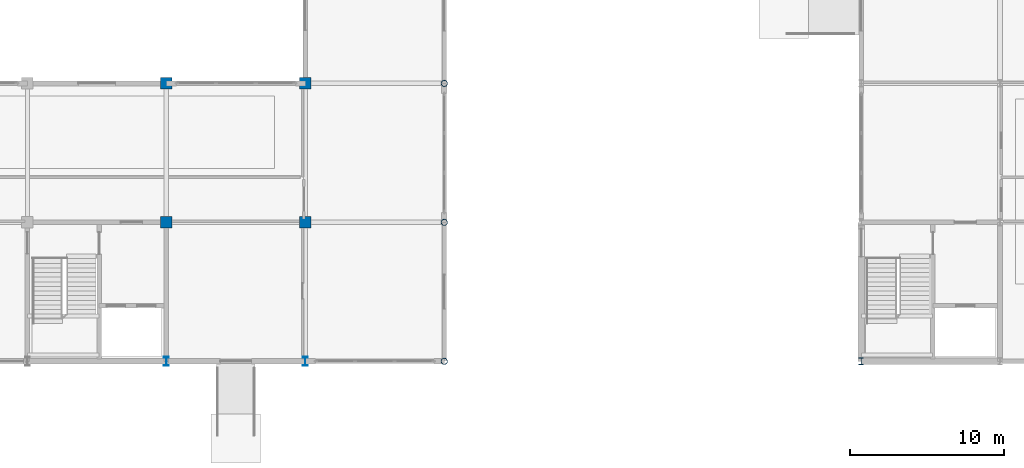
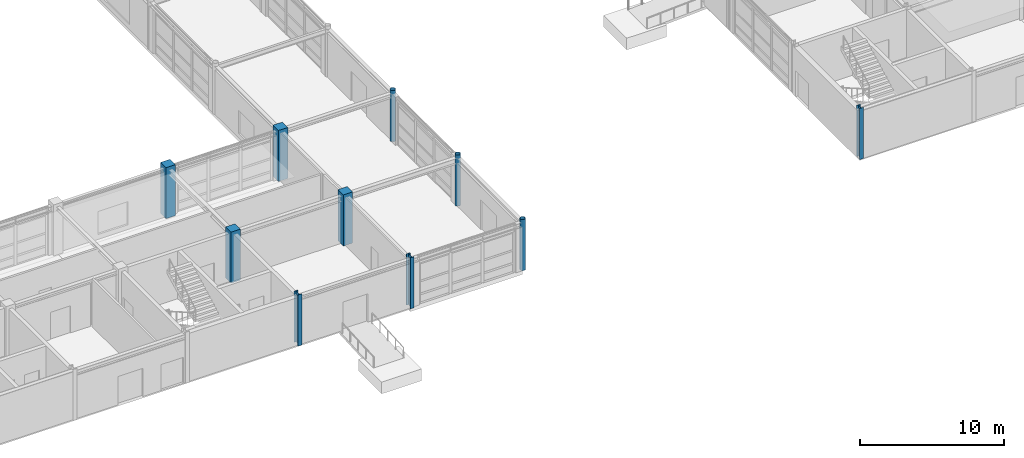
# One storey, part 4 of 72: 10 columns.
"""IFC4 building model written with IfcOpenShell, lengths in metres."""

import ifcopenshell
import ifcopenshell.guid

model = None  # the IFC model being written
_history = None  # IfcOwnerHistory: only IFC2X3 demands one
_inside = {}  # id of a spatial element -> (the spatial element, [elements in it])
_under = {}  # id of a project, library or spatial element -> (it, [spatial elements below it])
_declared = {}  # id of a project -> (the project, [libraries it declares])
_typed = {}  # id of a type object -> (the type object, [elements of that type])
_made_of = {}  # id of a material, layer set ... -> (it, [elements and type objects made of it])


def new_model(schema):
    """Start an empty IFC model of exactly this schema.

    Asked for "IFC4X3", IfcOpenShell would pick the latest addendum, in which some entities
    have other attributes; the version numbers below select the first issue.
    IFC2X3 requires an IfcOwnerHistory on every rooted entity: one is made here for all.
    """
    global model, _history
    if schema == "IFC4X3":
        model = ifcopenshell.file(schema_version=(4, 3, 0, 0))
    else:
        model = ifcopenshell.file(schema=schema)
    _inside.clear()
    _under.clear()
    _declared.clear()
    _typed.clear()
    _made_of.clear()
    _history = None
    if model.schema == "IFC2X3":
        org = make("IfcOrganization", Name="unknown")
        user = make(
            "IfcPersonAndOrganization",
            ThePerson=make("IfcPerson", FamilyName="unknown"),
            TheOrganization=org,
        )
        app = make(
            "IfcApplication",
            ApplicationDeveloper=org,
            Version="unknown",
            ApplicationFullName="unknown",
            ApplicationIdentifier="unknown",
        )
        _history = make(
            "IfcOwnerHistory",
            OwningUser=user,
            OwningApplication=app,
            ChangeAction="ADDED",
            CreationDate=0,
        )
    return model


def make(cls, **values):
    """One entity of the class cls with the attributes given. An attribute that is None is left unset."""
    return model.create_entity(
        cls, **{name: value for name, value in values.items() if value is not None}
    )


def rooted(cls, **values):
    """An entity with a GlobalId (a new one), such as an element, a storey or a relation."""
    return make(cls, GlobalId=ifcopenshell.guid.new(), OwnerHistory=_history, **values)


def si_unit(unit_type, name, prefix=None):
    """IfcSIUnit, for example si_unit("LENGTHUNIT", "METRE", prefix="MILLI")."""
    return make("IfcSIUnit", UnitType=unit_type, Prefix=prefix, Name=name)


def assignment(units):
    """IfcUnitAssignment: the units of a project."""
    return None if units is None else make("IfcUnitAssignment", Units=units)


def point(xyz):
    """IfcCartesianPoint."""
    return None if xyz is None else make("IfcCartesianPoint", Coordinates=xyz)


def direction(xyz):
    """IfcDirection."""
    return None if xyz is None else make("IfcDirection", DirectionRatios=xyz)


def frame(location, z_axis=None, x_axis=None):
    """IfcAxis2Placement3D, a coordinate frame: its origin and axes. An axis left out is left unset."""
    return make(
        "IfcAxis2Placement3D",
        Location=point(location),
        Axis=direction(z_axis),
        RefDirection=direction(x_axis),
    )


def frame_2d(location, x_axis=None):
    """IfcAxis2Placement2D, a coordinate frame in the plane: its origin and x axis."""
    return make(
        "IfcAxis2Placement2D", Location=point(location), RefDirection=direction(x_axis)
    )


def origin():
    """The frame at (0, 0, 0) with its axes left unset."""
    return frame((0.0, 0.0, 0.0))


def origin_2d():
    """The frame at (0, 0) in the plane with its x axis left unset."""
    return frame_2d((0.0, 0.0))


def place(relative_to, where):
    """IfcLocalPlacement: puts the frame where relative to a parent placement (None: the world)."""
    return make(
        "IfcLocalPlacement", PlacementRelTo=relative_to, RelativePlacement=where
    )


def context(
    kind, dimensions, precision=None, world=None, true_north=None, identifier=None
):
    """IfcGeometricRepresentationContext, for example the 3D "Model" context."""
    return make(
        "IfcGeometricRepresentationContext",
        ContextIdentifier=identifier,
        ContextType=kind,
        CoordinateSpaceDimension=dimensions,
        Precision=precision,
        WorldCoordinateSystem=world,
        TrueNorth=true_north,
    )


def subcontext(parent, identifier, kind, view, scale=None):
    """IfcGeometricRepresentationSubContext, for example "Body" below "Model"."""
    return make(
        "IfcGeometricRepresentationSubContext",
        ContextIdentifier=identifier,
        ContextType=kind,
        ParentContext=parent,
        TargetScale=scale,
        TargetView=view,
    )


def project(units=None, contexts=None):
    """IfcProject with its units and contexts."""
    return rooted(
        "IfcProject",
        Name="project",
        RepresentationContexts=contexts,
        UnitsInContext=assignment(units),
    )


def spatial(cls, under=None, at=None, **own):
    """A site, building, storey or space (cls), placed at a placement, below another one or the project."""
    s = rooted(cls, ObjectPlacement=at, **own)
    if under is not None:
        _under.setdefault(under.id(), (under, []))[1].append(s)
    return s


def profile(cls, at=None, kind="AREA", **sizes):
    """A parametric profile (cls). Its sizes go by their IFC names, for example OverallWidth=200.0."""
    return make(cls, ProfileType=kind, Position=at, **sizes)


def rectangle(**sizes):
    """IfcRectangleProfileDef."""
    return profile("IfcRectangleProfileDef", **sizes)


def hollow_circle(**sizes):
    """IfcCircleHollowProfileDef."""
    return profile("IfcCircleHollowProfileDef", **sizes)


def i_section(**sizes):
    """IfcIShapeProfileDef."""
    return profile("IfcIShapeProfileDef", **sizes)


def extrude(swept, where, along, depth):
    """IfcExtrudedAreaSolid: the profile swept, set in the frame where, extruded along a direction by depth."""
    return make(
        "IfcExtrudedAreaSolid",
        SweptArea=swept,
        Position=where,
        ExtrudedDirection=direction(along),
        Depth=depth,
    )


def shape(context_of_items, identifier, shape_type, items):
    """IfcShapeRepresentation: the items that make up one representation, for example the "Body"."""
    return make(
        "IfcShapeRepresentation",
        ContextOfItems=context_of_items,
        RepresentationIdentifier=identifier,
        RepresentationType=shape_type,
        Items=items,
    )


def material(Name=None, Category=None):
    """IfcMaterial."""
    return make("IfcMaterial", Name=Name, Category=Category)


def material_profile(
    of_material, cross_section, Name=None, Category=None, Priority=None
):
    """IfcMaterialProfile: a cross section and its material."""
    return make(
        "IfcMaterialProfile",
        Name=Name,
        Material=of_material,
        Profile=cross_section,
        Priority=Priority,
        Category=Category,
    )


def profile_set(profiles, Name=None, composite=None):
    """IfcMaterialProfileSet."""
    return make(
        "IfcMaterialProfileSet",
        Name=Name,
        MaterialProfiles=profiles,
        CompositeProfile=composite,
    )


def made_of(thing, what):
    """Note that an element or type object is made of a material, layer set ...; save() writes the relation."""
    if what is not None:
        _made_of.setdefault(what.id(), (what, []))[1].append(thing)
    return thing


def type_object(cls, material=None, **own):
    """A type object (cls), such as IfcWallType, which elements share."""
    return made_of(rooted(cls, **own), material)


def element(
    cls,
    number,
    at=None,
    inside=None,
    cuts=None,
    type_object=None,
    material=None,
    context=None,
    identifier="Body",
    shape_type=None,
    held_by="IfcProductDefinitionShape",
    body=None,
    shapes=None,
    **own,
):
    """One element of the class cls, such as IfcWall. Its Tag is "e" and its number.

    at: its placement. inside: the storey or other place that contains it. cuts: it is an
    opening in that element (IfcRelVoidsElement). A single representation is given by context,
    identifier, shape_type and body (its items); several are given by shapes. held_by: the class
    of the entity that holds the representations. save() writes the other relations.
    """
    e = rooted(cls, Tag="e%d" % number, ObjectPlacement=at, **own)
    if body is not None:
        shapes = [shape(context, identifier, shape_type, body)]
    if shapes is not None:
        e.Representation = make(held_by, Representations=shapes)
    if inside is not None:
        _inside.setdefault(inside.id(), (inside, []))[1].append(e)
    if cuts is not None:
        rooted(
            "IfcRelVoidsElement", RelatingBuildingElement=cuts, RelatedOpeningElement=e
        )
    if type_object is not None:
        _typed.setdefault(type_object.id(), (type_object, []))[1].append(e)
    return made_of(e, material)


def aggregate(whole, parts):
    """IfcRelAggregates: a whole, such as a stair, and the parts it consists of."""
    return rooted("IfcRelAggregates", RelatingObject=whole, RelatedObjects=parts)


def save(model, path):
    """Write the relations noted so far, then the file.

    IfcRelAggregates (storeys below a building ...), IfcRelContainedInSpatialStructure (elements
    in a storey), IfcRelDefinesByType, IfcRelAssociatesMaterial and IfcRelDeclares: one each for
    every whole, place, type object, material and project.
    """
    for whole, parts in _under.values():
        aggregate(whole, parts)
    for where, things in _inside.values():
        rooted(
            "IfcRelContainedInSpatialStructure",
            RelatedElements=things,
            RelatingStructure=where,
        )
    for kind, things in _typed.values():
        rooted("IfcRelDefinesByType", RelatedObjects=things, RelatingType=kind)
    for what, things in _made_of.values():
        rooted("IfcRelAssociatesMaterial", RelatedObjects=things, RelatingMaterial=what)
    for by, libraries in _declared.values():
        rooted("IfcRelDeclares", RelatingContext=by, RelatedDefinitions=libraries)
    model.write(path)


model = new_model("IFC4")

# Units and contexts
model_context = context("Model", 3, precision=1e-05, world=origin(), true_north=direction((0.0, 1.0)))
body_context = subcontext(model_context, "Body", "Model", "MODEL_VIEW")
ifc_project = project(units=[si_unit("LENGTHUNIT", "METRE"), si_unit("AREAUNIT", "SQUARE_METRE"), si_unit("VOLUMEUNIT", "CUBIC_METRE"), si_unit("PLANEANGLEUNIT", "RADIAN"), si_unit("MASSUNIT", "GRAM", prefix="KILO")], contexts=[model_context])

# Site, building, storey
site_placement = place(None, origin())
site = spatial("IfcSite", under=ifc_project, at=site_placement, CompositionType="ELEMENT")
building_placement = place(site_placement, origin())
building = spatial("IfcBuilding", under=site, at=building_placement, Name="Palais des Congres Ocreval", CompositionType="ELEMENT")
storey_placement = place(building_placement, origin())
storey = spatial("IfcBuildingStorey", under=building, at=storey_placement, Name="L00", CompositionType="ELEMENT", Elevation=0.0)

# Columns
ifc_material_1 = material(Name="Steel S355", Category="steel")
ifc_material_profile_1 = material_profile(ifc_material_1, hollow_circle(Radius=0.203125, WallThickness=0.01611328125, at=origin_2d()), Name="CHS 406.4x16")
ifc_profile_set_1 = profile_set([ifc_material_profile_1], Name="Steel S355")
column_type_1 = type_object("IfcColumnType", Name="Column CHS 406.4x16 Steel S355", PredefinedType="COLUMN", material=ifc_profile_set_1)
for number, where, z_axis, x_axis, name in (
    (1, (81.0, 0.0, 0.0), (0.0, 0.0, 1.0), (1.0, 0.0, 0.0), "Column C15 L00"),
    (2, (81.0, 9.0, 0.0), (0.0, 0.0, 1.0), (1.0, 0.0, 0.0), "Column C15 L00"),
    (3, (81.0, 18.0, 0.0), (0.0, 0.0, 1.0), (1.0, 0.0, 0.0), "Column C15 L00"),
):
    element("IfcColumn", number, at=place(storey_placement, frame(where, z_axis=z_axis, x_axis=x_axis)), inside=storey, type_object=column_type_1, Name=name, PredefinedType="COLUMN", context=body_context, shape_type="SweptSolid", body=[
        extrude(hollow_circle(Radius=0.203125, WallThickness=0.01611328125, at=origin_2d()), origin(), (0.0, 0.0, 1.0), 4.320068359375),
    ])
ifc_material_profile_2 = material_profile(ifc_material_1, i_section(OverallWidth=0.300048828125, OverallDepth=0.449951171875, WebThickness=0.013916015625, FlangeThickness=0.02587890625, at=origin_2d()), Name="HEB 450")
ifc_profile_set_2 = profile_set([ifc_material_profile_2], Name="Steel S355")
column_type_2 = type_object("IfcColumnType", Name="Column HEB 450 Steel S355", PredefinedType="COLUMN", material=ifc_profile_set_2)
column_placement = place(storey_placement, frame((108.0, 0.0, 0.0), z_axis=(0.0, 0.0, 1.0), x_axis=(1.0, 0.0, 0.0)))
element("IfcColumn", 4, at=column_placement, inside=storey, type_object=column_type_2, Name="Column C09 L00", PredefinedType="COLUMN", context=body_context, shape_type="SweptSolid", body=[
    extrude(i_section(OverallWidth=0.300048828125, OverallDepth=0.449951171875, WebThickness=0.013916015625, FlangeThickness=0.02587890625, at=origin_2d()), origin(), (0.0, 0.0, 1.0), 4.320068359375),
])
ifc_material_2 = material(Name="Steel S460", Category="steel")
ifc_material_profile_3 = material_profile(ifc_material_2, i_section(OverallWidth=0.305908203125, OverallDepth=0.572021484375, WebThickness=0.02099609375, FlangeThickness=0.0400390625, at=origin_2d()), Name="HEM 550")
ifc_profile_set_3 = profile_set([ifc_material_profile_3], Name="Steel S460")
column_type_3 = type_object("IfcColumnType", Name="Column HEM 550 Steel S460", PredefinedType="COLUMN", material=ifc_profile_set_3)
for number, where, z_axis, x_axis, name in (
    (5, (63.0, 0.0, 0.0), (0.0, 0.0, 1.0), (1.0, 0.0, 0.0), "Column C05 L00"),
    (6, (72.0, 0.0, 0.0), (0.0, 0.0, 1.0), (1.0, 0.0, 0.0), "Column C05 L00"),
):
    element("IfcColumn", number, at=place(storey_placement, frame(where, z_axis=z_axis, x_axis=x_axis)), inside=storey, type_object=column_type_3, Name=name, PredefinedType="COLUMN", context=body_context, shape_type="SweptSolid", body=[
        extrude(i_section(OverallWidth=0.305908203125, OverallDepth=0.572021484375, WebThickness=0.02099609375, FlangeThickness=0.0400390625, at=origin_2d()), origin(), (0.0, 0.0, 1.0), 4.320068359375),
    ])
ifc_material_3 = material(Name="Concrete C40/50", Category="concrete")
ifc_material_profile_4 = material_profile(ifc_material_3, rectangle(XDim=0.75, YDim=0.75, at=origin_2d()), Name="RC 750x750")
ifc_profile_set_4 = profile_set([ifc_material_profile_4], Name="Concrete C40/50")
column_type_4 = type_object("IfcColumnType", Name="Column RC 750x750 Concrete C40/50", PredefinedType="COLUMN", material=ifc_profile_set_4)
for number, where, z_axis, x_axis, name in (
    (7, (63.0, 9.0, 0.0), (0.0, 0.0, 1.0), (1.0, 0.0, 0.0), "Column C22 L00"),
    (8, (63.0, 18.0, 0.0), (0.0, 0.0, 1.0), (1.0, 0.0, 0.0), "Column C22 L00"),
    (9, (72.0, 9.0, 0.0), (0.0, 0.0, 1.0), (1.0, 0.0, 0.0), "Column C22 L00"),
    (10, (72.0, 18.0, 0.0), (0.0, 0.0, 1.0), (1.0, 0.0, 0.0), "Column C22 L00"),
):
    element("IfcColumn", number, at=place(storey_placement, frame(where, z_axis=z_axis, x_axis=x_axis)), inside=storey, type_object=column_type_4, Name=name, PredefinedType="COLUMN", context=body_context, shape_type="SweptSolid", body=[
        extrude(rectangle(XDim=0.75, YDim=0.75, at=origin_2d()), origin(), (0.0, 0.0, 1.0), 4.320068359375),
    ])

save(model, "model.ifc")
